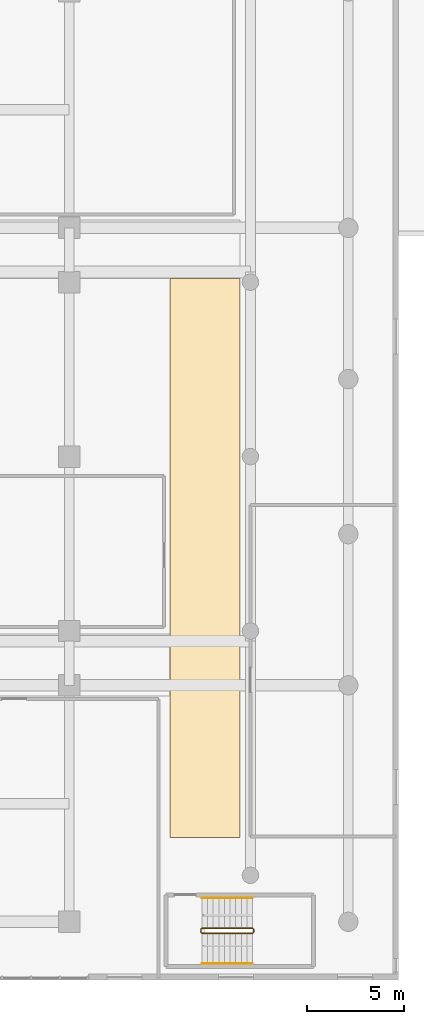
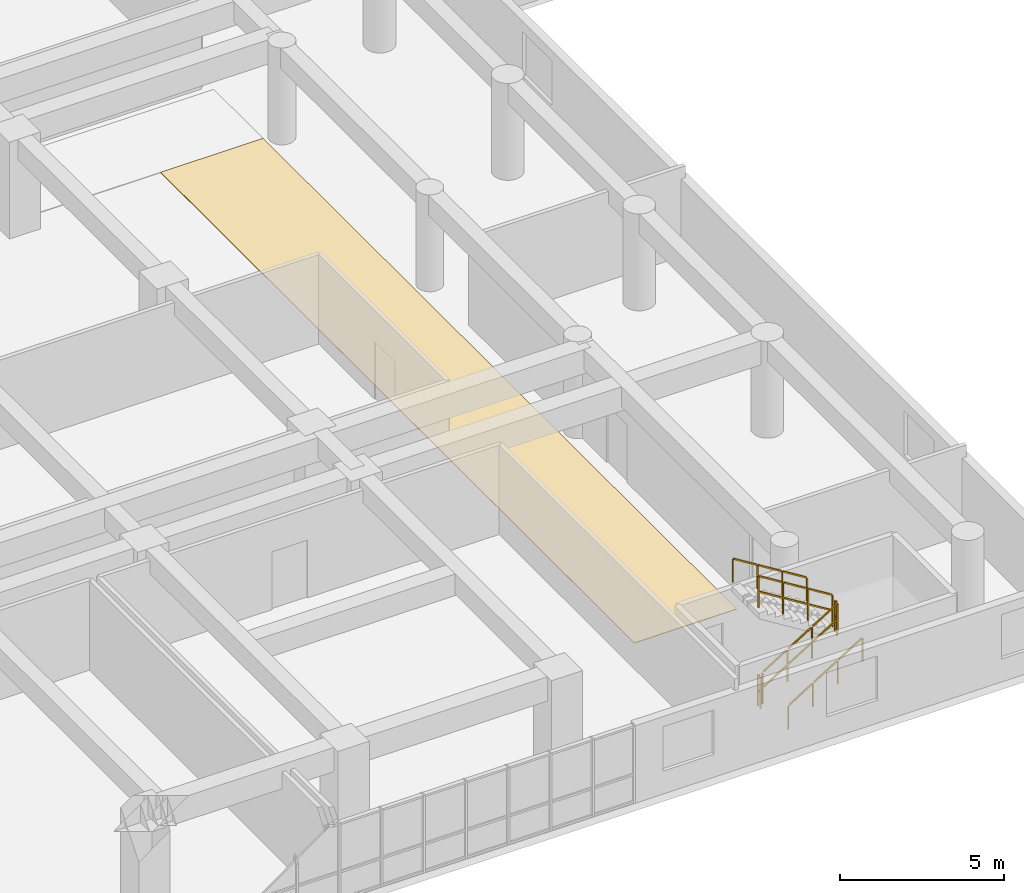
# One storey, part 27 of 27: 6 railings, 1 covering.
"""IFC4 building model written with IfcOpenShell, lengths in metres."""

import ifcopenshell
import ifcopenshell.guid

model = None  # the IFC model being written
_history = None  # IfcOwnerHistory: only IFC2X3 demands one
_inside = {}  # id of a spatial element -> (the spatial element, [elements in it])
_under = {}  # id of a project, library or spatial element -> (it, [spatial elements below it])
_declared = {}  # id of a project -> (the project, [libraries it declares])
_typed = {}  # id of a type object -> (the type object, [elements of that type])
_made_of = {}  # id of a material, layer set ... -> (it, [elements and type objects made of it])


def new_model(schema):
    """Start an empty IFC model of exactly this schema.

    Asked for "IFC4X3", IfcOpenShell would pick the latest addendum, in which some entities
    have other attributes; the version numbers below select the first issue.
    IFC2X3 requires an IfcOwnerHistory on every rooted entity: one is made here for all.
    """
    global model, _history
    if schema == "IFC4X3":
        model = ifcopenshell.file(schema_version=(4, 3, 0, 0))
    else:
        model = ifcopenshell.file(schema=schema)
    _inside.clear()
    _under.clear()
    _declared.clear()
    _typed.clear()
    _made_of.clear()
    _history = None
    if model.schema == "IFC2X3":
        org = make("IfcOrganization", Name="unknown")
        user = make(
            "IfcPersonAndOrganization",
            ThePerson=make("IfcPerson", FamilyName="unknown"),
            TheOrganization=org,
        )
        app = make(
            "IfcApplication",
            ApplicationDeveloper=org,
            Version="unknown",
            ApplicationFullName="unknown",
            ApplicationIdentifier="unknown",
        )
        _history = make(
            "IfcOwnerHistory",
            OwningUser=user,
            OwningApplication=app,
            ChangeAction="ADDED",
            CreationDate=0,
        )
    return model


def make(cls, **values):
    """One entity of the class cls with the attributes given. An attribute that is None is left unset."""
    return model.create_entity(
        cls, **{name: value for name, value in values.items() if value is not None}
    )


def rooted(cls, **values):
    """An entity with a GlobalId (a new one), such as an element, a storey or a relation."""
    return make(cls, GlobalId=ifcopenshell.guid.new(), OwnerHistory=_history, **values)


def si_unit(unit_type, name, prefix=None):
    """IfcSIUnit, for example si_unit("LENGTHUNIT", "METRE", prefix="MILLI")."""
    return make("IfcSIUnit", UnitType=unit_type, Prefix=prefix, Name=name)


def assignment(units):
    """IfcUnitAssignment: the units of a project."""
    return None if units is None else make("IfcUnitAssignment", Units=units)


def point(xyz):
    """IfcCartesianPoint."""
    return None if xyz is None else make("IfcCartesianPoint", Coordinates=xyz)


def direction(xyz):
    """IfcDirection."""
    return None if xyz is None else make("IfcDirection", DirectionRatios=xyz)


def frame(location, z_axis=None, x_axis=None):
    """IfcAxis2Placement3D, a coordinate frame: its origin and axes. An axis left out is left unset."""
    return make(
        "IfcAxis2Placement3D",
        Location=point(location),
        Axis=direction(z_axis),
        RefDirection=direction(x_axis),
    )


def frame_2d(location, x_axis=None):
    """IfcAxis2Placement2D, a coordinate frame in the plane: its origin and x axis."""
    return make(
        "IfcAxis2Placement2D", Location=point(location), RefDirection=direction(x_axis)
    )


def origin():
    """The frame at (0, 0, 0) with its axes left unset."""
    return frame((0.0, 0.0, 0.0))


def origin_2d():
    """The frame at (0, 0) in the plane with its x axis left unset."""
    return frame_2d((0.0, 0.0))


def place(relative_to, where):
    """IfcLocalPlacement: puts the frame where relative to a parent placement (None: the world)."""
    return make(
        "IfcLocalPlacement", PlacementRelTo=relative_to, RelativePlacement=where
    )


def context(
    kind, dimensions, precision=None, world=None, true_north=None, identifier=None
):
    """IfcGeometricRepresentationContext, for example the 3D "Model" context."""
    return make(
        "IfcGeometricRepresentationContext",
        ContextIdentifier=identifier,
        ContextType=kind,
        CoordinateSpaceDimension=dimensions,
        Precision=precision,
        WorldCoordinateSystem=world,
        TrueNorth=true_north,
    )


def subcontext(parent, identifier, kind, view, scale=None):
    """IfcGeometricRepresentationSubContext, for example "Body" below "Model"."""
    return make(
        "IfcGeometricRepresentationSubContext",
        ContextIdentifier=identifier,
        ContextType=kind,
        ParentContext=parent,
        TargetScale=scale,
        TargetView=view,
    )


def project(units=None, contexts=None):
    """IfcProject with its units and contexts."""
    return rooted(
        "IfcProject",
        Name="project",
        RepresentationContexts=contexts,
        UnitsInContext=assignment(units),
    )


def spatial(cls, under=None, at=None, **own):
    """A site, building, storey or space (cls), placed at a placement, below another one or the project."""
    s = rooted(cls, ObjectPlacement=at, **own)
    if under is not None:
        _under.setdefault(under.id(), (under, []))[1].append(s)
    return s


def polyline(points):
    """IfcPolyline through the points."""
    return make("IfcPolyline", Points=[point(p) for p in points])


def profile(cls, at=None, kind="AREA", **sizes):
    """A parametric profile (cls). Its sizes go by their IFC names, for example OverallWidth=200.0."""
    return make(cls, ProfileType=kind, Position=at, **sizes)


def rectangle(**sizes):
    """IfcRectangleProfileDef."""
    return profile("IfcRectangleProfileDef", **sizes)


def outline(outer, holes=None, kind="AREA"):
    """IfcArbitraryClosedProfileDef: a profile drawn as a closed curve; with holes, ...WithVoids."""
    if holes is None:
        return make("IfcArbitraryClosedProfileDef", ProfileType=kind, OuterCurve=outer)
    return make(
        "IfcArbitraryProfileDefWithVoids",
        ProfileType=kind,
        OuterCurve=outer,
        InnerCurves=holes,
    )


def extrude(swept, where, along, depth):
    """IfcExtrudedAreaSolid: the profile swept, set in the frame where, extruded along a direction by depth."""
    return make(
        "IfcExtrudedAreaSolid",
        SweptArea=swept,
        Position=where,
        ExtrudedDirection=direction(along),
        Depth=depth,
    )


def shape(context_of_items, identifier, shape_type, items):
    """IfcShapeRepresentation: the items that make up one representation, for example the "Body"."""
    return make(
        "IfcShapeRepresentation",
        ContextOfItems=context_of_items,
        RepresentationIdentifier=identifier,
        RepresentationType=shape_type,
        Items=items,
    )


def material(Name=None, Category=None):
    """IfcMaterial."""
    return make("IfcMaterial", Name=Name, Category=Category)


def layer(
    of_material, thickness, ventilated=None, Name=None, Category=None, Priority=None
):
    """IfcMaterialLayer: one layer of a wall or slab, of a material (None: an air gap)."""
    return make(
        "IfcMaterialLayer",
        Material=of_material,
        LayerThickness=thickness,
        IsVentilated=ventilated,
        Name=Name,
        Category=Category,
        Priority=Priority,
    )


def layer_set(layers, Name=None):
    """IfcMaterialLayerSet."""
    return make("IfcMaterialLayerSet", MaterialLayers=layers, LayerSetName=Name)


def made_of(thing, what):
    """Note that an element or type object is made of a material, layer set ...; save() writes the relation."""
    if what is not None:
        _made_of.setdefault(what.id(), (what, []))[1].append(thing)
    return thing


def type_object(cls, material=None, **own):
    """A type object (cls), such as IfcWallType, which elements share."""
    return made_of(rooted(cls, **own), material)


def element(
    cls,
    number,
    at=None,
    inside=None,
    cuts=None,
    type_object=None,
    material=None,
    context=None,
    identifier="Body",
    shape_type=None,
    held_by="IfcProductDefinitionShape",
    body=None,
    shapes=None,
    **own,
):
    """One element of the class cls, such as IfcWall. Its Tag is "e" and its number.

    at: its placement. inside: the storey or other place that contains it. cuts: it is an
    opening in that element (IfcRelVoidsElement). A single representation is given by context,
    identifier, shape_type and body (its items); several are given by shapes. held_by: the class
    of the entity that holds the representations. save() writes the other relations.
    """
    e = rooted(cls, Tag="e%d" % number, ObjectPlacement=at, **own)
    if body is not None:
        shapes = [shape(context, identifier, shape_type, body)]
    if shapes is not None:
        e.Representation = make(held_by, Representations=shapes)
    if inside is not None:
        _inside.setdefault(inside.id(), (inside, []))[1].append(e)
    if cuts is not None:
        rooted(
            "IfcRelVoidsElement", RelatingBuildingElement=cuts, RelatedOpeningElement=e
        )
    if type_object is not None:
        _typed.setdefault(type_object.id(), (type_object, []))[1].append(e)
    return made_of(e, material)


def aggregate(whole, parts):
    """IfcRelAggregates: a whole, such as a stair, and the parts it consists of."""
    return rooted("IfcRelAggregates", RelatingObject=whole, RelatedObjects=parts)


def save(model, path):
    """Write the relations noted so far, then the file.

    IfcRelAggregates (storeys below a building ...), IfcRelContainedInSpatialStructure (elements
    in a storey), IfcRelDefinesByType, IfcRelAssociatesMaterial and IfcRelDeclares: one each for
    every whole, place, type object, material and project.
    """
    for whole, parts in _under.values():
        aggregate(whole, parts)
    for where, things in _inside.values():
        rooted(
            "IfcRelContainedInSpatialStructure",
            RelatedElements=things,
            RelatingStructure=where,
        )
    for kind, things in _typed.values():
        rooted("IfcRelDefinesByType", RelatedObjects=things, RelatingType=kind)
    for what, things in _made_of.values():
        rooted("IfcRelAssociatesMaterial", RelatedObjects=things, RelatingMaterial=what)
    for by, libraries in _declared.values():
        rooted("IfcRelDeclares", RelatingContext=by, RelatedDefinitions=libraries)
    model.write(path)


model = new_model("IFC4")

# Units and contexts
model_context = context("Model", 3, precision=1e-05, world=origin(), true_north=direction((0.0, 1.0)))
body_context = subcontext(model_context, "Body", "Model", "MODEL_VIEW")
ifc_project = project(units=[si_unit("LENGTHUNIT", "METRE"), si_unit("AREAUNIT", "SQUARE_METRE"), si_unit("VOLUMEUNIT", "CUBIC_METRE"), si_unit("PLANEANGLEUNIT", "RADIAN"), si_unit("MASSUNIT", "GRAM", prefix="KILO")], contexts=[model_context])

# Site, building, storey
site_placement = place(None, origin())
site = spatial("IfcSite", under=ifc_project, at=site_placement, CompositionType="ELEMENT")
building_placement = place(site_placement, origin())
building = spatial("IfcBuilding", under=site, at=building_placement, Name="Saelheon Loggia Tower", CompositionType="ELEMENT")
storey_placement = place(building_placement, frame((0.0, 0.0, 4.199951171875)))
storey = spatial("IfcBuildingStorey", under=building, at=storey_placement, Name="L01", CompositionType="ELEMENT", Elevation=4.199951171875)

# Covering
ifc_material_1 = material(Name="Vitrified Porcelain Floor Tile", Category="ceramic")
ifc_layer = layer(ifc_material_1, 0.02001953125)
ifc_layer_set = layer_set([ifc_layer], Name="Vitrified Porcelain Floor Tile")
covering_type = type_object("IfcCoveringType", Name="Cov_Floor_Porcelain", PredefinedType="FLOORING", material=ifc_layer_set)
covering_placement = place(storey_placement, origin())
element("IfcCovering", 1, at=covering_placement, inside=storey, type_object=covering_type, Name="L01 Corridor Porcelain Flooring", PredefinedType="FLOORING", context=body_context, shape_type="SweptSolid", body=[
    extrude(outline(polyline([(64.199951171875, 7.360107421875), (67.800048828125, 7.360107421875), (67.800048828125, 36.199951171875), (64.199951171875, 36.199951171875), (64.199951171875, 7.360107421875)])), origin(), (0.0, 0.0, 1.0), 0.02001953125),
])

# Railings
ifc_material_2 = material(Name="Galvanised Steel S275 Stairwell Guardrail", Category="steel")
railing_type_1 = type_object("IfcRailingType", Name="Guard_StairWell_RL_STG", PredefinedType="GUARDRAIL", material=ifc_material_2)
railing_1_placement = place(storey_placement, frame((65.85009765625, 2.409912109375, 0.179931640625)))
element("IfcRailing", 2, at=railing_1_placement, inside=storey, type_object=railing_type_1, Name="L01 ST4 stair guard 1", PredefinedType="GUARDRAIL", context=body_context, shape_type="SweptSolid", body=[
    extrude(rectangle(XDim=0.048095703125, YDim=0.048095703125, at=origin_2d()), frame((0.0283203125, 0.0, 1.193359375), z_axis=(0.849610693518, 0.0, 0.52741034258), x_axis=(0.0, 1.0, 0.0)), (0.0, 0.0, 1.0), 0.95751953125),
    extrude(rectangle(XDim=0.048095703125, YDim=0.048095703125, at=origin_2d()), frame((0.0283203125, 0.0, 0.617431640625), z_axis=(0.849610693518, 0.0, 0.52741034258), x_axis=(0.0, 1.0, 0.0)), (0.0, 0.0, 1.0), 0.95751953125),
    extrude(rectangle(XDim=0.048095703125, YDim=0.048095703125, at=origin_2d()), frame((0.898193359375, 0.0, 1.7333984375), z_axis=(0.849610693518, 0.0, 0.52741034258), x_axis=(0.0, 1.0, 0.0)), (0.0, 0.0, 1.0), 0.95751953125),
    extrude(rectangle(XDim=0.048095703125, YDim=0.048095703125, at=origin_2d()), frame((0.898193359375, 0.0, 1.157470703125), z_axis=(0.849610693518, 0.0, 0.52741034258), x_axis=(0.0, 1.0, 0.0)), (0.0, 0.0, 1.0), 0.95751953125),
    extrude(rectangle(XDim=0.048095703125, YDim=0.048095703125, at=origin_2d()), frame((1.76806640625, 0.0, 2.2734375), z_axis=(0.849610693518, 0.0, 0.52741034258), x_axis=(0.0, 1.0, 0.0)), (0.0, 0.0, 1.0), 0.95751953125),
    extrude(rectangle(XDim=0.048095703125, YDim=0.048095703125, at=origin_2d()), frame((1.76806640625, 0.0, 1.697509765625), z_axis=(0.849610693518, 0.0, 0.52741034258), x_axis=(0.0, 1.0, 0.0)), (0.0, 0.0, 1.0), 0.95751953125),
    extrude(rectangle(XDim=0.0419921875, YDim=0.0419921875, at=origin_2d()), origin(), (0.0, 0.0, 1.0), 1.14794921875),
    extrude(rectangle(XDim=0.0419921875, YDim=0.0419921875, at=origin_2d()), frame((0.869873046875, 0.0, 0.5400390625)), (0.0, 0.0, 1.0), 1.14794921875),
    extrude(rectangle(XDim=0.0419921875, YDim=0.0419921875, at=origin_2d()), frame((1.739990234375, 0.0, 1.080078125)), (0.0, 0.0, 1.0), 1.14794921875),
    extrude(rectangle(XDim=0.0419921875, YDim=0.0419921875, at=origin_2d()), frame((2.60986328125, 0.0, 1.6201171875)), (0.0, 0.0, 1.0), 1.14794921875),
])
railing_2_placement = place(storey_placement, frame((68.510009765625, 2.4599609375, 1.800048828125)))
element("IfcRailing", 3, at=railing_2_placement, inside=storey, type_object=railing_type_1, Name="L01 ST4 stair guard 2", PredefinedType="GUARDRAIL", context=body_context, shape_type="SweptSolid", body=[
    extrude(rectangle(XDim=0.048095703125, YDim=0.048095703125, at=origin_2d()), frame((0.0, 0.033203125, 1.17578125), z_axis=(0.0, 1.0, 0.0), x_axis=(-1.0, 0.0, 0.0)), (0.0, 0.0, 1.0), 0.09375),
    extrude(rectangle(XDim=0.048095703125, YDim=0.048095703125, at=origin_2d()), frame((0.0, 0.033203125, 0.60009765625), z_axis=(0.0, 1.0, 0.0), x_axis=(-1.0, 0.0, 0.0)), (0.0, 0.0, 1.0), 0.09375),
    extrude(rectangle(XDim=0.0419921875, YDim=0.0419921875, at=origin_2d()), origin(), (0.0, 0.0, 1.0), 1.14794921875),
    extrude(rectangle(XDim=0.0419921875, YDim=0.0419921875, at=origin_2d()), frame((0.0, 0.16015625, 0.0)), (0.0, 0.0, 1.0), 1.14794921875),
])
railing_3_placement = place(storey_placement, frame((68.4599609375, 2.669921875, 1.97998046875)))
element("IfcRailing", 4, at=railing_3_placement, inside=storey, type_object=railing_type_1, Name="L01 ST4 stair guard 3", PredefinedType="GUARDRAIL", context=body_context, shape_type="SweptSolid", body=[
    extrude(rectangle(XDim=0.048095703125, YDim=0.048095703125, at=origin_2d()), frame((-0.0283203125, 0.0, 1.193359375), z_axis=(-0.849610693518, 0.0, 0.52741034258), x_axis=(0.0, -1.0, 0.0)), (0.0, 0.0, 1.0), 0.95751953125),
    extrude(rectangle(XDim=0.048095703125, YDim=0.048095703125, at=origin_2d()), frame((-0.0283203125, 0.0, 0.617431640625), z_axis=(-0.849610693518, 0.0, 0.52741034258), x_axis=(0.0, -1.0, 0.0)), (0.0, 0.0, 1.0), 0.95751953125),
    extrude(rectangle(XDim=0.048095703125, YDim=0.048095703125, at=origin_2d()), frame((-0.898193359375, 0.0, 1.7333984375), z_axis=(-0.849610693518, 0.0, 0.52741034258), x_axis=(0.0, -1.0, 0.0)), (0.0, 0.0, 1.0), 0.95751953125),
    extrude(rectangle(XDim=0.048095703125, YDim=0.048095703125, at=origin_2d()), frame((-0.898193359375, 0.0, 1.157470703125), z_axis=(-0.849610693518, 0.0, 0.52741034258), x_axis=(0.0, -1.0, 0.0)), (0.0, 0.0, 1.0), 0.95751953125),
    extrude(rectangle(XDim=0.048095703125, YDim=0.048095703125, at=origin_2d()), frame((-1.76806640625, 0.0, 2.2734375), z_axis=(-0.849610693518, 0.0, 0.52741034258), x_axis=(0.0, -1.0, 0.0)), (0.0, 0.0, 1.0), 0.95751953125),
    extrude(rectangle(XDim=0.048095703125, YDim=0.048095703125, at=origin_2d()), frame((-1.76806640625, 0.0, 1.697509765625), z_axis=(-0.849610693518, 0.0, 0.52741034258), x_axis=(0.0, -1.0, 0.0)), (0.0, 0.0, 1.0), 0.95751953125),
    extrude(rectangle(XDim=0.0419921875, YDim=0.0419921875, at=origin_2d()), origin(), (0.0, 0.0, 1.0), 1.14794921875),
    extrude(rectangle(XDim=0.0419921875, YDim=0.0419921875, at=origin_2d()), frame((-0.869873046875, 0.0, 0.5400390625)), (0.0, 0.0, 1.0), 1.14794921875),
    extrude(rectangle(XDim=0.0419921875, YDim=0.0419921875, at=origin_2d()), frame((-1.739990234375, 0.0, 1.080078125)), (0.0, 0.0, 1.0), 1.14794921875),
    extrude(rectangle(XDim=0.0419921875, YDim=0.0419921875, at=origin_2d()), frame((-2.60986328125, 0.0, 1.6201171875)), (0.0, 0.0, 1.0), 1.14794921875),
])
railing_4_placement = place(storey_placement, frame((65.800048828125, 2.4599609375, 0.0)))
element("IfcRailing", 5, at=railing_4_placement, inside=storey, type_object=railing_type_1, Name="L01 ST4 stair guard 4", PredefinedType="GUARDRAIL", context=body_context, shape_type="SweptSolid", body=[
    extrude(rectangle(XDim=0.048095703125, YDim=0.048095703125, at=origin_2d()), frame((0.0, 0.033203125, 1.17578125), z_axis=(0.0, 1.0, 0.0), x_axis=(-1.0, 0.0, 0.0)), (0.0, 0.0, 1.0), 0.09375),
    extrude(rectangle(XDim=0.048095703125, YDim=0.048095703125, at=origin_2d()), frame((0.0, 0.033203125, 0.60009765625), z_axis=(0.0, 1.0, 0.0), x_axis=(-1.0, 0.0, 0.0)), (0.0, 0.0, 1.0), 0.09375),
    extrude(rectangle(XDim=0.0419921875, YDim=0.0419921875, at=origin_2d()), origin(), (0.0, 0.0, 1.0), 1.14794921875),
    extrude(rectangle(XDim=0.0419921875, YDim=0.0419921875, at=origin_2d()), frame((0.0, 0.16015625, 0.0)), (0.0, 0.0, 1.0), 1.14794921875),
])
ifc_material_3 = material(Name="Stainless Steel 304 Tubular Handrail", Category="steel")
railing_type_2 = type_object("IfcRailingType", Name="Handrail_Stair_RL_HR1", PredefinedType="HANDRAIL", material=ifc_material_3)
railing_5_placement = place(storey_placement, frame((65.85009765625, 0.85009765625, 0.179931640625)))
element("IfcRailing", 6, at=railing_5_placement, inside=storey, type_object=railing_type_2, Name="L01 ST4 stair handrail 1", PredefinedType="HANDRAIL", context=body_context, shape_type="SweptSolid", body=[
    extrude(rectangle(XDim=0.048095703125, YDim=0.048095703125, at=origin_2d()), frame((0.0283203125, 0.0, 0.893310546875), z_axis=(0.849610693518, 0.0, 0.52741034258), x_axis=(0.0, 1.0, 0.0)), (0.0, 0.0, 1.0), 0.95751953125),
    extrude(rectangle(XDim=0.048095703125, YDim=0.048095703125, at=origin_2d()), frame((0.898193359375, 0.0, 1.433349609375), z_axis=(0.849610693518, 0.0, 0.52741034258), x_axis=(0.0, 1.0, 0.0)), (0.0, 0.0, 1.0), 0.95751953125),
    extrude(rectangle(XDim=0.048095703125, YDim=0.048095703125, at=origin_2d()), frame((1.76806640625, 0.0, 1.973388671875), z_axis=(0.849610693518, 0.0, 0.52741034258), x_axis=(0.0, 1.0, 0.0)), (0.0, 0.0, 1.0), 0.95751953125),
    extrude(rectangle(XDim=0.0419921875, YDim=0.0419921875, at=origin_2d()), origin(), (0.0, 0.0, 1.0), 0.847900390625),
    extrude(rectangle(XDim=0.0419921875, YDim=0.0419921875, at=origin_2d()), frame((0.869873046875, 0.0, 0.5400390625)), (0.0, 0.0, 1.0), 0.847900390625),
    extrude(rectangle(XDim=0.0419921875, YDim=0.0419921875, at=origin_2d()), frame((1.739990234375, 0.0, 1.080078125)), (0.0, 0.0, 1.0), 0.847900390625),
    extrude(rectangle(XDim=0.0419921875, YDim=0.0419921875, at=origin_2d()), frame((2.60986328125, 0.0, 1.6201171875)), (0.0, 0.0, 1.0), 0.847900390625),
])
railing_6_placement = place(storey_placement, frame((68.4599609375, 4.22998046875, 1.97998046875)))
element("IfcRailing", 7, at=railing_6_placement, inside=storey, type_object=railing_type_2, Name="L01 ST4 stair handrail 2", PredefinedType="HANDRAIL", context=body_context, shape_type="SweptSolid", body=[
    extrude(rectangle(XDim=0.048095703125, YDim=0.048095703125, at=origin_2d()), frame((-0.0283203125, 0.0, 0.893310546875), z_axis=(-0.849610693518, 0.0, 0.52741034258), x_axis=(0.0, -1.0, 0.0)), (0.0, 0.0, 1.0), 0.95751953125),
    extrude(rectangle(XDim=0.048095703125, YDim=0.048095703125, at=origin_2d()), frame((-0.898193359375, 0.0, 1.433349609375), z_axis=(-0.849610693518, 0.0, 0.52741034258), x_axis=(0.0, -1.0, 0.0)), (0.0, 0.0, 1.0), 0.95751953125),
    extrude(rectangle(XDim=0.048095703125, YDim=0.048095703125, at=origin_2d()), frame((-1.76806640625, 0.0, 1.973388671875), z_axis=(-0.849610693518, 0.0, 0.52741034258), x_axis=(0.0, -1.0, 0.0)), (0.0, 0.0, 1.0), 0.95751953125),
    extrude(rectangle(XDim=0.0419921875, YDim=0.0419921875, at=origin_2d()), origin(), (0.0, 0.0, 1.0), 0.847900390625),
    extrude(rectangle(XDim=0.0419921875, YDim=0.0419921875, at=origin_2d()), frame((-0.869873046875, 0.0, 0.5400390625)), (0.0, 0.0, 1.0), 0.847900390625),
    extrude(rectangle(XDim=0.0419921875, YDim=0.0419921875, at=origin_2d()), frame((-1.739990234375, 0.0, 1.080078125)), (0.0, 0.0, 1.0), 0.847900390625),
    extrude(rectangle(XDim=0.0419921875, YDim=0.0419921875, at=origin_2d()), frame((-2.60986328125, 0.0, 1.6201171875)), (0.0, 0.0, 1.0), 0.847900390625),
])

save(model, "model.ifc")
